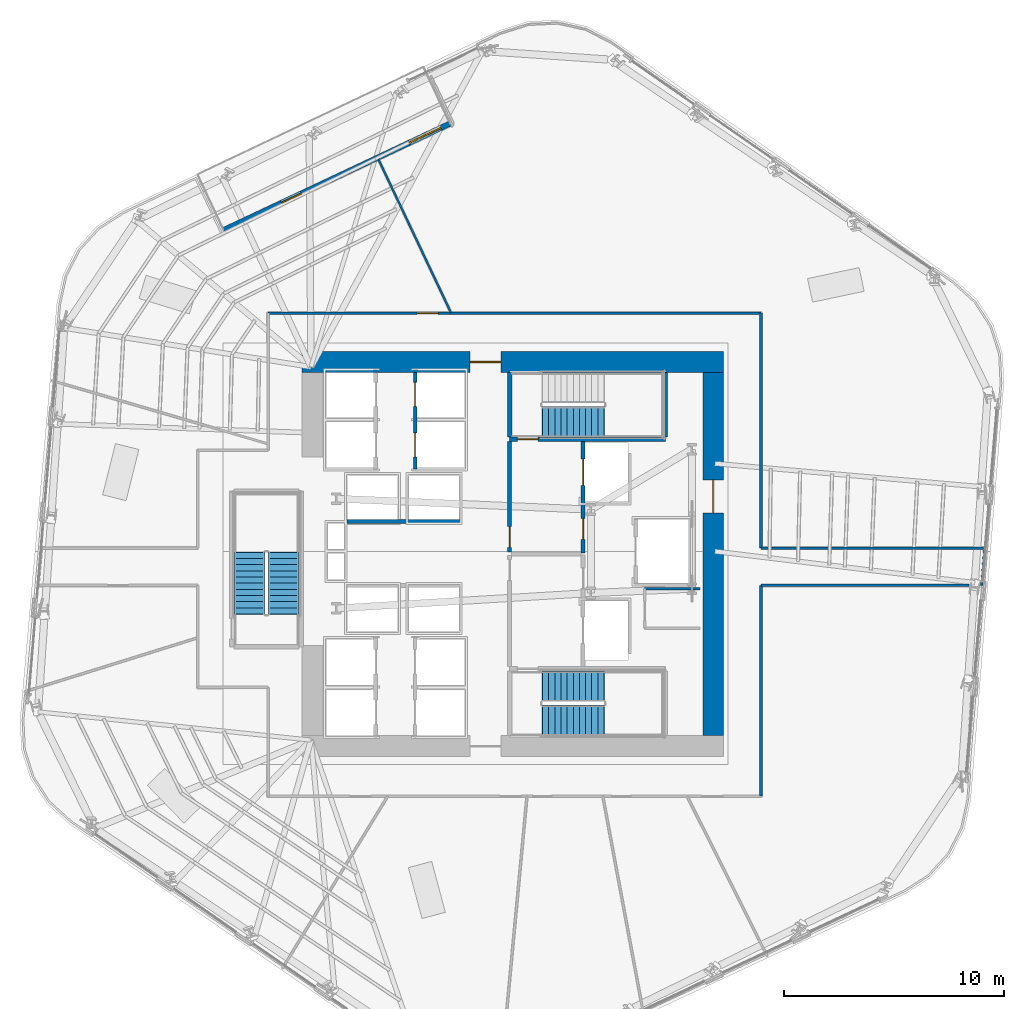
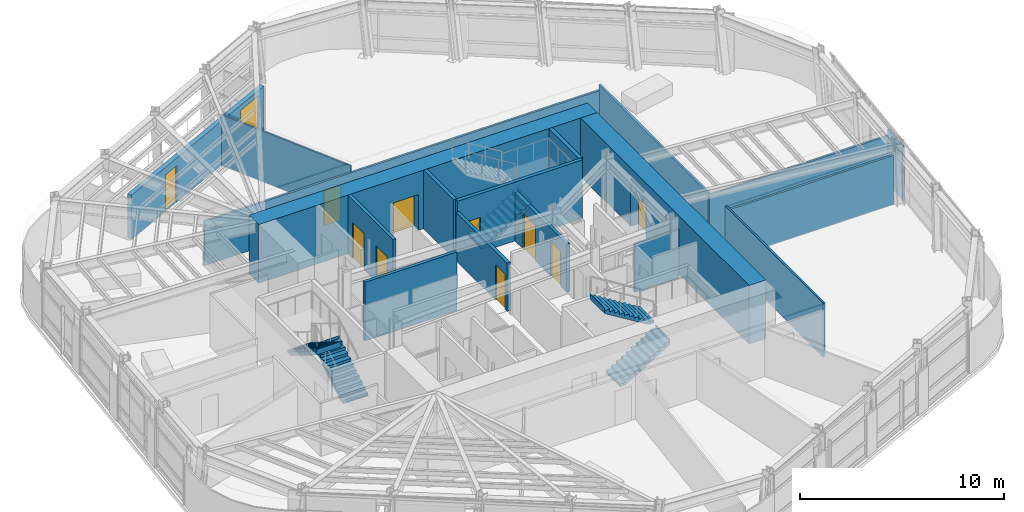
# One storey, part 10 of 19: 18 walls, 10 doors, 5 stair flights, 1 window, 11 openings, 3 elements without a shape of their own.
"""IFC4 building model written with IfcOpenShell, lengths in metres."""

from ifc_helpers import new_model, si_unit, direction, frame, frame_2d, origin, place, context, subcontext, project, spatial, polyline, rectangle, outline, extrude, material, layer, layer_set, type_object, element, fill, aggregate, save


model = new_model("IFC4")

# Units and contexts
model_context = context("Model", 3, precision=1e-05, world=origin(), true_north=direction((0.0, 1.0)))
body_context = subcontext(model_context, "Body", "Model", "MODEL_VIEW")
ifc_project = project(units=[si_unit("LENGTHUNIT", "METRE"), si_unit("AREAUNIT", "SQUARE_METRE"), si_unit("VOLUMEUNIT", "CUBIC_METRE"), si_unit("PLANEANGLEUNIT", "RADIAN"), si_unit("MASSUNIT", "GRAM", prefix="KILO")], contexts=[model_context])

# Site, building, storey
site_placement = place(None, origin())
site = spatial("IfcSite", under=ifc_project, at=site_placement, CompositionType="ELEMENT")
building_placement = place(site_placement, origin())
building = spatial("IfcBuilding", under=site, at=building_placement, Name="Valkerne Bourse Tower", CompositionType="ELEMENT")
storey_placement = place(building_placement, frame((0.0, 0.0, 131.39990234375)))
storey = spatial("IfcBuildingStorey", under=building, at=storey_placement, Name="L33", CompositionType="ELEMENT", Elevation=131.39990234375)

# Wall, opening, door
ifc_material_1 = material(Name="Concrete C70/85", Category="concrete")
ifc_layer_1 = layer(ifc_material_1, 0.949951171875)
ifc_layer_set_1 = layer_set([ifc_layer_1], Name="Concrete C70/85")
wall_type_1 = type_object("IfcWallType", Name="W-CORE-950", PredefinedType="SHEAR", material=ifc_layer_set_1)
wall_1_placement = place(storey_placement, frame((37.199951171875, 35.625, 0.0), z_axis=(0.0, 0.0, 1.0), x_axis=(1.0, 0.0, 0.0)))
wall_1 = element("IfcWall", 1, at=wall_1_placement, inside=storey, type_object=wall_type_1, Name="L33 Core Shear Wall NORTH", PredefinedType="SHEAR", context=body_context, shape_type="SweptSolid", body=[
    extrude(rectangle(XDim=19.199951171875, YDim=0.949951171875, at=frame_2d((9.60009765625, 0.0))), origin(), (0.0, 0.0, 1.0), 3.52001953125),
])
opening_1_placement = place(wall_1_placement, frame((7.64990234375, 0.0, 0.0)))
opening_1 = element("IfcOpeningElement", 2, at=opening_1_placement, cuts=wall_1, Name="Opening D-PL-1400", PredefinedType="OPENING", context=body_context, shape_type="SweptSolid", body=[
    extrude(rectangle(XDim=1.39990234375, YDim=2.14990234375, at=frame_2d((0.699951171875, 1.074951171875))), frame((0.0, 0.48486328125, 0.0), z_axis=(0.0, -1.0, 0.0), x_axis=(1.0, 0.0, 0.0)), (0.0, 0.0, 1.0), 0.969970703125),
])
ifc_material_2 = material(Name="Galvanised Painted Steel", Category="steel")
door_type_1 = type_object("IfcDoorType", Name="DR-PLT-1400", OperationType="DOUBLE_DOOR_SINGLE_SWING", PredefinedType="DOOR", material=ifc_material_2)
door_1_placement = place(opening_1_placement, origin())
door_1 = element("IfcDoor", 3, at=door_1_placement, inside=storey, type_object=door_type_1, Name="L33 North Passenger Lift Hall Fire Door", OperationType="DOUBLE_DOOR_SINGLE_SWING", OverallHeight=2.14990234375, OverallWidth=1.39990234375, PredefinedType="DOOR", context=body_context, shape_type="SweptSolid", body=[
    extrude(rectangle(XDim=1.39990234375, YDim=2.14990234375, at=frame_2d((0.699951171875, 1.074951171875))), frame((0.0, 0.02490234375, 0.0), z_axis=(0.0, -1.0, 0.0), x_axis=(1.0, 0.0, 0.0)), (0.0, 0.0, 1.0), 0.050048828125),
])
fill(opening_1, door_1)

wall_2_placement = place(storey_placement, frame((55.925048828125, 18.60009765625, 0.0), z_axis=(0.0, 0.0, 1.0), x_axis=(0.0, 1.0, 0.0)))
wall_2 = element("IfcWall", 4, at=wall_2_placement, inside=storey, type_object=wall_type_1, Name="L33 Core Shear Wall EAST", PredefinedType="SHEAR", context=body_context, shape_type="SweptSolid", body=[
    extrude(rectangle(XDim=16.5498046875, YDim=0.949951171875, at=frame_2d((8.27490234375, 0.0))), origin(), (0.0, 0.0, 1.0), 3.52001953125),
])
opening_2_placement = place(wall_2_placement, frame((10.14990234375, 0.0, 0.0)))
opening_2 = element("IfcOpeningElement", 5, at=opening_2_placement, cuts=wall_2, Name="Opening D-CR-1500", PredefinedType="OPENING", context=body_context, shape_type="SweptSolid", body=[
    extrude(rectangle(XDim=1.5, YDim=2.14990234375, at=frame_2d((0.75, 1.074951171875))), frame((0.0, 0.48486328125, 0.0), z_axis=(0.0, -1.0, 0.0), x_axis=(1.0, 0.0, 0.0)), (0.0, 0.0, 1.0), 0.969970703125),
])
door_type_2 = type_object("IfcDoorType", Name="DR-CORR-1500", OperationType="DOUBLE_DOOR_SINGLE_SWING", PredefinedType="DOOR", material=ifc_material_2)
door_2_placement = place(opening_2_placement, origin())
door_2 = element("IfcDoor", 6, at=door_2_placement, inside=storey, type_object=door_type_2, Name="L33 East Core Service Lobby Fire Door", OperationType="DOUBLE_DOOR_SINGLE_SWING", OverallHeight=2.14990234375, OverallWidth=1.5, PredefinedType="DOOR", context=body_context, shape_type="SweptSolid", body=[
    extrude(rectangle(XDim=1.5, YDim=2.14990234375, at=frame_2d((0.75, 1.074951171875))), frame((0.0, 0.02490234375, 0.0), z_axis=(0.0, -1.0, 0.0), x_axis=(1.0, 0.0, 0.0)), (0.0, 0.0, 1.0), 0.050048828125),
])
fill(opening_2, door_2)

# Walls
ifc_material_3 = material(Name="Gypsum Board Steel-Stud Partition", Category="steel")
ifc_layer_2 = layer(ifc_material_3, 0.117919921875)
ifc_layer_set_2 = layer_set([ifc_layer_2], Name="Gypsum Board Steel-Stud Partition")
wall_type_2 = type_object("IfcWallType", Name="W-CORR-140", PredefinedType="PARTITIONING", material=ifc_layer_set_2)
wall_3_placement = place(storey_placement, frame((52.800048828125, 25.300048828125, 0.0), z_axis=(0.0, 0.0, 1.0), x_axis=(1.0, 0.0, 0.0)))
element("IfcWall", 7, at=wall_3_placement, inside=storey, type_object=wall_type_2, Name="L33 Core SE North-Bay North Wall", PredefinedType="PARTITIONING", context=body_context, shape_type="SweptSolid", body=[
    extrude(rectangle(XDim=2.52001953125, YDim=0.117919921875, at=frame_2d((1.260009765625, 0.0))), origin(), (0.0, 0.0, 1.0), 2.89794921875),
])
wall_4_placement = place(storey_placement, frame((58.10009765625, 27.14990234375, 0.0), z_axis=(0.0, 0.0, 1.0), x_axis=(1.0, 0.0, 0.0)))
element("IfcWall", 8, at=wall_4_placement, inside=storey, type_object=wall_type_2, Name="L33 Corridor Enclosure Wall", PredefinedType="PARTITIONING", context=body_context, shape_type="SweptSolid", body=[
    extrude(rectangle(XDim=10.1904296875, YDim=0.117919921875, at=frame_2d((5.09521484375, 0.0))), origin(), (0.0, 0.0, 1.0), 2.8623046875),
])
wall_5_placement = place(storey_placement, frame((68.29052734375, 27.14990234375, 0.0), z_axis=(0.0, 0.0, 1.0), x_axis=(-0.07945502524, -0.996838451789, 0.0)))
element("IfcWall", 9, at=wall_5_placement, inside=storey, type_object=wall_type_2, Name="L33 Corridor Enclosure Wall", PredefinedType="PARTITIONING", context=body_context, shape_type="SweptSolid", body=[
    extrude(rectangle(XDim=1.705322265625, YDim=0.117919921875, at=frame_2d((0.8525390625, 0.0))), origin(), (0.0, 0.0, 1.0), 3.22021484375),
])
wall_6_placement = place(storey_placement, frame((67.5673828125, 25.449951171875, 0.0), z_axis=(0.0, 0.0, 1.0), x_axis=(-1.0, 0.0, 0.0)))
element("IfcWall", 10, at=wall_6_placement, inside=storey, type_object=wall_type_2, Name="L33 Corridor Enclosure Wall", PredefinedType="PARTITIONING", context=body_context, shape_type="SweptSolid", body=[
    extrude(rectangle(XDim=9.46728515625, YDim=0.117919921875, at=frame_2d((4.733642578125, 0.0))), origin(), (0.0, 0.0, 1.0), 2.96142578125),
])
wall_7_placement = place(storey_placement, frame((58.10009765625, 25.449951171875, 0.0), z_axis=(0.0, 0.0, 1.0), x_axis=(0.0, -1.0, 0.0)))
element("IfcWall", 11, at=wall_7_placement, inside=storey, type_object=wall_type_2, Name="L33 Corridor Enclosure Wall", PredefinedType="PARTITIONING", context=body_context, shape_type="SweptSolid", body=[
    extrude(rectangle(XDim=9.599853515625, YDim=0.117919921875, at=frame_2d((4.7998046875, 0.0))), origin(), (0.0, 0.0, 1.0), 3.22021484375),
])

# Wall, opening, door
wall_8_placement = place(storey_placement, frame((35.64990234375, 37.85009765625, 0.0), z_axis=(0.0, 0.0, 1.0), x_axis=(1.0, 0.0, 0.0)))
wall_8 = element("IfcWall", 12, at=wall_8_placement, inside=storey, type_object=wall_type_2, Name="L33 Corridor Enclosure Wall", PredefinedType="PARTITIONING", context=body_context, shape_type="SweptSolid", body=[
    extrude(rectangle(XDim=22.4501953125, YDim=0.117919921875, at=frame_2d((11.22509765625, 0.0))), origin(), (0.0, 0.0, 1.0), 2.651611328125),
])
opening_3_placement = place(wall_8_placement, frame((6.7900390625, 0.0, 0.0)))
opening_3 = element("IfcOpeningElement", 13, at=opening_3_placement, cuts=wall_8, Name="Opening D-OF-950", PredefinedType="OPENING", context=body_context, shape_type="SweptSolid", body=[
    extrude(rectangle(XDim=0.949951171875, YDim=2.10009765625, at=frame_2d((0.47509765625, 1.050048828125))), frame((0.0, 0.06884765625, 0.0), z_axis=(0.0, -1.0, 0.0), x_axis=(1.0, 0.0, 0.0)), (0.0, 0.0, 1.0), 0.137939453125),
])
ifc_material_4 = material(Name="Architectural White Oak Timber", Category="wood")
door_type_3 = type_object("IfcDoorType", Name="DR-OFF-950", OperationType="NOTDEFINED", PredefinedType="DOOR", material=ifc_material_4)
door_3_placement = place(opening_3_placement, origin())
door_3 = element("IfcDoor", 14, at=door_3_placement, inside=storey, type_object=door_type_3, Name="L33 L33 Executive Advisory Suite Office 6 Door", OperationType="SINGLE_SWING_LEFT", OverallHeight=2.10009765625, OverallWidth=0.949951171875, PredefinedType="DOOR", context=body_context, shape_type="SweptSolid", body=[
    extrude(rectangle(XDim=0.949951171875, YDim=2.10009765625, at=frame_2d((0.47509765625, 1.050048828125))), frame((0.0, 0.02490234375, 0.0), z_axis=(0.0, -1.0, 0.0), x_axis=(1.0, 0.0, 0.0)), (0.0, 0.0, 1.0), 0.050048828125),
])
fill(opening_3, door_3)

# Wall
wall_9_placement = place(storey_placement, frame((58.10009765625, 37.85009765625, 0.0), z_axis=(0.0, 0.0, 1.0), x_axis=(0.0, -1.0, 0.0)))
element("IfcWall", 15, at=wall_9_placement, inside=storey, type_object=wall_type_2, Name="L33 Corridor Enclosure Wall", PredefinedType="PARTITIONING", context=body_context, shape_type="SweptSolid", body=[
    extrude(rectangle(XDim=10.7001953125, YDim=0.117919921875, at=frame_2d((5.35009765625, 0.0))), origin(), (0.0, 0.0, 1.0), 2.976806640625),
])

# Wall, openings, door, window
ifc_material_5 = material(Name="Bronze Anodised Aluminium AA 6063-T6", Category="aluminium")
ifc_layer_3 = layer(ifc_material_5, 0.25)
ifc_layer_set_3 = layer_set([ifc_layer_3], Name="Bronze Anodised Aluminium AA 6063-T6")
wall_type_3 = type_object("IfcWallType", Name="W-EXT-TER-250", PredefinedType="STANDARD", material=ifc_layer_set_3)
wall_10_placement = place(storey_placement, frame((43.931396484375, 46.4833984375, 0.0), z_axis=(0.0, 0.0, 1.0), x_axis=(-0.904833747211, -0.425765064218, 0.0)))
wall_10 = element("IfcWall", 16, at=wall_10_placement, inside=storey, type_object=wall_type_3, Name="L33 V-Notch Terrace Glazed Access Wall", PredefinedType="STANDARD", context=body_context, shape_type="SweptSolid", body=[
    extrude(rectangle(XDim=11.400146484375, YDim=0.25, at=frame_2d((5.7001953125, 0.0))), origin(), (0.0, 0.0, 1.0), 2.655517578125),
])
opening_4_placement = place(wall_10_placement, frame((7.47998046875, 0.0, 0.0)))
opening_4 = element("IfcOpeningElement", 17, at=opening_4_placement, cuts=wall_10, Name="Opening DT-1000", PredefinedType="OPENING", context=body_context, shape_type="SweptSolid", body=[
    extrude(rectangle(XDim=1.0, YDim=2.199951171875, at=frame_2d((0.5, 1.10009765625))), frame((0.0, 0.135009765625, 0.0), z_axis=(0.0, -1.0, 0.0), x_axis=(1.0, 0.0, 0.0)), (0.0, 0.0, 1.0), 0.27001953125),
])
opening_5_placement = place(wall_10_placement, frame((0.449951171875, 0.0, 0.14990234375)))
opening_5 = element("IfcOpeningElement", 18, at=opening_5_placement, cuts=wall_10, Name="Opening WN-04", PredefinedType="OPENING", context=body_context, shape_type="SweptSolid", body=[
    extrude(rectangle(XDim=1.60009765625, YDim=2.199951171875, at=frame_2d((0.800048828125, 1.10009765625))), frame((0.0, 0.135009765625, 0.0), z_axis=(0.0, -1.0, 0.0), x_axis=(1.0, 0.0, 0.0)), (0.0, 0.0, 1.0), 0.27001953125),
])
ifc_material_6 = material(Name="Glass IGU Low-E Double Glazed", Category="glass")
door_type_4 = type_object("IfcDoorType", Name="DR-EXT-TER-1000", OperationType="NOTDEFINED", PredefinedType="DOOR", material=ifc_material_6)
door_4_placement = place(opening_4_placement, origin())
door_4 = element("IfcDoor", 19, at=door_4_placement, inside=storey, type_object=door_type_4, Name="L33 V-Notch Outdoor Terrace Access Door", OperationType="SINGLE_SWING_RIGHT", OverallHeight=2.199951171875, OverallWidth=1.0, PredefinedType="DOOR", context=body_context, shape_type="SweptSolid", body=[
    extrude(rectangle(XDim=1.0, YDim=2.199951171875, at=frame_2d((0.5, 1.10009765625))), frame((0.0, 0.02490234375, 0.0), z_axis=(0.0, -1.0, 0.0), x_axis=(1.0, 0.0, 0.0)), (0.0, 0.0, 1.0), 0.050048828125),
])
fill(opening_4, door_4)
window_type = type_object("IfcWindowType", Name="WIN-TER-1600X2200", PartitioningType="SINGLE_PANEL", PredefinedType="WINDOW", material=ifc_material_6)
window_placement = place(opening_5_placement, origin())
window = element("IfcWindow", 20, at=window_placement, inside=storey, type_object=window_type, Name="L33 V-Notch Terrace Sidelight Window", OverallHeight=2.199951171875, OverallWidth=1.60009765625, PartitioningType="SINGLE_PANEL", PredefinedType="WINDOW", context=body_context, shape_type="SweptSolid", body=[
    extrude(rectangle(XDim=1.60009765625, YDim=2.199951171875, at=frame_2d((0.800048828125, 1.10009765625))), frame((0.0, 0.030029296875, 0.0), z_axis=(0.0, -1.0, 0.0), x_axis=(1.0, 0.0, 0.0)), (0.0, 0.0, 1.0), 0.06005859375),
])
fill(opening_5, window)

# Wall, opening, door
ifc_material_7 = material(Name="Gypsum Fire-Rated Shaftwall", Category="gypsum")
ifc_layer_4 = layer(ifc_material_7, 0.179931640625)
ifc_layer_set_4 = layer_set([ifc_layer_4], Name="Gypsum Fire-Rated Shaftwall")
wall_type_4 = type_object("IfcWallType", Name="W-FSAE-180", PredefinedType="PARTITIONING", material=ifc_layer_set_4)
wall_11_placement = place(storey_placement, frame((46.64990234375, 26.9599609375, 0.0), z_axis=(0.0, 0.0, 1.0), x_axis=(0.0, 1.0, 0.0)))
wall_11 = element("IfcWall", 21, at=wall_11_placement, inside=storey, type_object=wall_type_4, Name="L33 FSAE-2 Lobby West Fire Wall", PredefinedType="PARTITIONING", context=body_context, shape_type="SweptSolid", body=[
    extrude(rectangle(XDim=5.0400390625, YDim=0.179931640625, at=frame_2d((2.52001953125, 0.0))), origin(), (0.0, 0.0, 1.0), 2.89794921875),
])
opening_6_placement = place(wall_11_placement, frame((0.219970703125, 0.0, 0.0)))
opening_6 = element("IfcOpeningElement", 22, at=opening_6_placement, cuts=wall_11, Name="Opening D-FS-950", PredefinedType="OPENING", context=body_context, shape_type="SweptSolid", body=[
    extrude(rectangle(XDim=0.949951171875, YDim=2.10009765625, at=frame_2d((0.47509765625, 1.050048828125))), frame((0.0, 0.099853515625, 0.0), z_axis=(0.0, -1.0, 0.0), x_axis=(1.0, 0.0, 0.0)), (0.0, 0.0, 1.0), 0.199951171875),
])
door_type_5 = type_object("IfcDoorType", Name="DR-FSAE-950", OperationType="NOTDEFINED", PredefinedType="DOOR", material=ifc_material_2)
door_5_placement = place(opening_6_placement, origin())
door_5 = element("IfcDoor", 23, at=door_5_placement, inside=storey, type_object=door_type_5, Name="L33 FSAE-2 Hall Link Fire Door", OperationType="SINGLE_SWING_RIGHT", OverallHeight=2.10009765625, OverallWidth=0.949951171875, PredefinedType="DOOR", context=body_context, shape_type="SweptSolid", body=[
    extrude(rectangle(XDim=0.949951171875, YDim=2.10009765625, at=frame_2d((0.47509765625, 1.050048828125))), frame((0.0, 0.02490234375, 0.0), z_axis=(0.0, -1.0, 0.0), x_axis=(1.0, 0.0, 0.0)), (0.0, 0.0, 1.0), 0.050048828125),
])
fill(opening_6, door_5)

# Wall, openings, doors
wall_12_placement = place(storey_placement, frame((50.0, 26.919921875, 0.0), z_axis=(0.0, 0.0, 1.0), x_axis=(0.0, 1.0, 0.0)))
wall_12 = element("IfcWall", 24, at=wall_12_placement, inside=storey, type_object=wall_type_4, Name="L33 FSAE-2 Lobby & Shaft Front Wall", PredefinedType="PARTITIONING", context=body_context, shape_type="SweptSolid", body=[
    extrude(rectangle(XDim=5.080078125, YDim=0.179931640625, at=frame_2d((2.5400390625, 0.0))), origin(), (0.0, 0.0, 1.0), 2.89794921875),
])
opening_7_placement = place(wall_12_placement, frame((3.080078125, 0.0, 0.0)))
opening_7 = element("IfcOpeningElement", 25, at=opening_7_placement, cuts=wall_12, Name="Opening LD-1200", PredefinedType="OPENING", context=body_context, shape_type="SweptSolid", body=[
    extrude(rectangle(XDim=1.199951171875, YDim=2.14990234375, at=frame_2d((0.60009765625, 1.074951171875))), frame((0.0, 0.099853515625, 0.0), z_axis=(0.0, -1.0, 0.0), x_axis=(1.0, 0.0, 0.0)), (0.0, 0.0, 1.0), 0.199951171875),
])
opening_8_placement = place(wall_12_placement, frame((0.6298828125, 0.0, 0.0)))
opening_8 = element("IfcOpeningElement", 26, at=opening_8_placement, cuts=wall_12, Name="Opening D-FS-950", PredefinedType="OPENING", context=body_context, shape_type="SweptSolid", body=[
    extrude(rectangle(XDim=0.949951171875, YDim=2.10009765625, at=frame_2d((0.47509765625, 1.050048828125))), frame((0.0, 0.099853515625, 0.0), z_axis=(0.0, -1.0, 0.0), x_axis=(1.0, 0.0, 0.0)), (0.0, 0.0, 1.0), 0.199951171875),
])
door_6_placement = place(opening_8_placement, origin())
door_6 = element("IfcDoor", 27, at=door_6_placement, inside=storey, type_object=door_type_5, Name="L33 FSAE-2 Lobby Corridor Fire Door", OperationType="SINGLE_SWING_RIGHT", OverallHeight=2.10009765625, OverallWidth=0.949951171875, PredefinedType="DOOR", context=body_context, shape_type="SweptSolid", body=[
    extrude(rectangle(XDim=0.949951171875, YDim=2.10009765625, at=frame_2d((0.47509765625, 1.050048828125))), frame((0.0, 0.02490234375, 0.0), z_axis=(0.0, -1.0, 0.0), x_axis=(1.0, 0.0, 0.0)), (0.0, 0.0, 1.0), 0.050048828125),
])
fill(opening_8, door_6)
ifc_material_8 = material(Name="Stainless Steel AISI 316", Category="steel")
door_type_6 = type_object("IfcDoorType", Name="DR-LIFT-1200", OperationType="DOUBLE_DOOR_SLIDING", PredefinedType="DOOR", material=ifc_material_8)
door_7_placement = place(opening_7_placement, origin())
door_7 = element("IfcDoor", 28, at=door_7_placement, inside=storey, type_object=door_type_6, Name="L33 FSAE-2 Firefighting Lift Landing Door", OperationType="DOUBLE_DOOR_SLIDING", OverallHeight=2.14990234375, OverallWidth=1.199951171875, PredefinedType="DOOR", context=body_context, shape_type="SweptSolid", body=[
    extrude(rectangle(XDim=1.199951171875, YDim=2.14990234375, at=frame_2d((0.60009765625, 1.074951171875))), frame((0.0, 0.02490234375, 0.0), z_axis=(0.0, -1.0, 0.0), x_axis=(1.0, 0.0, 0.0)), (0.0, 0.0, 1.0), 0.050048828125),
])
fill(opening_7, door_7)

ifc_material_9 = material(Name="CMU Blockwork Masonry 200mm", Category="masonry")
ifc_layer_5 = layer(ifc_material_9, 0.179931640625)
ifc_layer_set_5 = layer_set([ifc_layer_5], Name="CMU Blockwork Masonry 200mm")
wall_type_5 = type_object("IfcWallType", Name="W-LFT-180", PredefinedType="SOLIDWALL", material=ifc_layer_set_5)
wall_13_placement = place(storey_placement, frame((42.35009765625, 30.75, 0.0), z_axis=(0.0, 0.0, 1.0), x_axis=(0.0, 1.0, 0.0)))
wall_13 = element("IfcWall", 29, at=wall_13_placement, inside=storey, type_object=wall_type_5, Name="L33 Mid-Zone East Cars Front Wall", PredefinedType="SOLIDWALL", context=body_context, shape_type="SweptSolid", body=[
    extrude(rectangle(XDim=4.39990234375, YDim=0.179931640625, at=frame_2d((2.199951171875, 0.0))), origin(), (0.0, 0.0, 1.0), 3.52001953125),
])
opening_9_placement = place(wall_13_placement, frame((0.550048828125, 0.0, 0.0)))
opening_9 = element("IfcOpeningElement", 30, at=opening_9_placement, cuts=wall_13, Name="Opening LD-1100", PredefinedType="OPENING", context=body_context, shape_type="SweptSolid", body=[
    extrude(rectangle(XDim=1.10009765625, YDim=2.14990234375, at=frame_2d((0.550048828125, 1.074951171875))), frame((0.0, 0.099853515625, 0.0), z_axis=(0.0, -1.0, 0.0), x_axis=(1.0, 0.0, 0.0)), (0.0, 0.0, 1.0), 0.199951171875),
])
opening_10_placement = place(wall_13_placement, frame((2.85009765625, 0.0, 0.0)))
opening_10 = element("IfcOpeningElement", 31, at=opening_10_placement, cuts=wall_13, Name="Opening LD-1100", PredefinedType="OPENING", context=body_context, shape_type="SweptSolid", body=[
    extrude(rectangle(XDim=1.10009765625, YDim=2.14990234375, at=frame_2d((0.550048828125, 1.074951171875))), frame((0.0, 0.099853515625, 0.0), z_axis=(0.0, -1.0, 0.0), x_axis=(1.0, 0.0, 0.0)), (0.0, 0.0, 1.0), 0.199951171875),
])
door_type_7 = type_object("IfcDoorType", Name="DR-LIFT-1100", OperationType="DOUBLE_DOOR_SLIDING", PredefinedType="DOOR", material=ifc_material_8)
door_8_placement = place(opening_9_placement, origin())
door_8 = element("IfcDoor", 32, at=door_8_placement, inside=storey, type_object=door_type_7, Name="L33 Passenger Lift PL-M3 Sliding Landing Door", OperationType="DOUBLE_DOOR_SLIDING", OverallHeight=2.14990234375, OverallWidth=1.10009765625, PredefinedType="DOOR", context=body_context, shape_type="SweptSolid", body=[
    extrude(rectangle(XDim=1.10009765625, YDim=2.14990234375, at=frame_2d((0.550048828125, 1.074951171875))), frame((0.0, 0.02490234375, 0.0), z_axis=(0.0, -1.0, 0.0), x_axis=(1.0, 0.0, 0.0)), (0.0, 0.0, 1.0), 0.050048828125),
])
fill(opening_9, door_8)
door_9_placement = place(opening_10_placement, origin())
door_9 = element("IfcDoor", 33, at=door_9_placement, inside=storey, type_object=door_type_7, Name="L33 Passenger Lift PL-M4 Sliding Landing Door", OperationType="DOUBLE_DOOR_SLIDING", OverallHeight=2.14990234375, OverallWidth=1.10009765625, PredefinedType="DOOR", context=body_context, shape_type="SweptSolid", body=[
    extrude(rectangle(XDim=1.10009765625, YDim=2.14990234375, at=frame_2d((0.550048828125, 1.074951171875))), frame((0.0, 0.02490234375, 0.0), z_axis=(0.0, -1.0, 0.0), x_axis=(1.0, 0.0, 0.0)), (0.0, 0.0, 1.0), 0.050048828125),
])
fill(opening_10, door_9)

# Walls
wall_14_placement = place(storey_placement, frame((39.25, 28.35009765625, 0.0), z_axis=(0.0, 0.0, 1.0), x_axis=(1.0, 0.0, 0.0)))
element("IfcWall", 34, at=wall_14_placement, inside=storey, type_object=wall_type_5, Name="L33 High-Zone North Cars Front Wall", PredefinedType="SOLIDWALL", context=body_context, shape_type="SweptSolid", body=[
    extrude(rectangle(XDim=5.199951171875, YDim=0.179931640625, at=frame_2d((2.60009765625, 0.0))), origin(), (0.0, 0.0, 1.0), 3.52001953125),
])
ifc_layer_6 = layer(ifc_material_3, 0.092041015625)
ifc_layer_set_6 = layer_set([ifc_layer_6], Name="Gypsum Board Steel-Stud Partition")
wall_type_6 = type_object("IfcWallType", Name="W-PART-115", PredefinedType="PARTITIONING", material=ifc_layer_set_6)
wall_15_placement = place(storey_placement, frame((43.985107421875, 37.85498046875, 0.0), z_axis=(0.0, 0.0, 1.0), x_axis=(-0.427640011657, 0.903949124913, 0.0)))
element("IfcWall", 35, at=wall_15_placement, inside=storey, type_object=wall_type_6, Name="L33 Suite Partition P04", PredefinedType="PARTITIONING", context=body_context, shape_type="SweptSolid", body=[
    extrude(rectangle(XDim=7.76025390625, YDim=0.092041015625, at=frame_2d((3.880126953125, 0.0))), origin(), (0.0, 0.0, 1.0), 3.047607421875),
])

# Wall, opening, door
ifc_material_10 = material(Name="Concrete C40/50", Category="concrete")
ifc_layer_7 = layer(ifc_material_10, 0.199951171875)
ifc_layer_set_7 = layer_set([ifc_layer_7], Name="Concrete C40/50")
wall_type_7 = type_object("IfcWallType", Name="W-SHF-200", PredefinedType="SHEAR", material=ifc_layer_set_7)
wall_16_placement = place(storey_placement, frame((46.64990234375, 32.10009765625, 0.0), z_axis=(0.0, 0.0, 1.0), x_axis=(1.0, 0.0, 0.0)))
wall_16 = element("IfcWall", 36, at=wall_16_placement, inside=storey, type_object=wall_type_7, Name="L33 Exit Stair ST-2 Structural Shaft Wall South", PredefinedType="SHEAR", context=body_context, shape_type="SweptSolid", body=[
    extrude(rectangle(XDim=7.10009765625, YDim=0.199951171875, at=frame_2d((3.550048828125, 0.0))), origin(), (0.0, 0.0, 1.0), 3.52001953125),
])
opening_11_placement = place(wall_16_placement, frame((0.35009765625, 0.0, 0.0)))
opening_11 = element("IfcOpeningElement", 37, at=opening_11_placement, cuts=wall_16, Name="Opening D-ST-950", PredefinedType="OPENING", context=body_context, shape_type="SweptSolid", body=[
    extrude(rectangle(XDim=0.949951171875, YDim=2.10009765625, at=frame_2d((0.47509765625, 1.050048828125))), frame((0.0, 0.10986328125, 0.0), z_axis=(0.0, -1.0, 0.0), x_axis=(1.0, 0.0, 0.0)), (0.0, 0.0, 1.0), 0.219970703125),
])
door_type_8 = type_object("IfcDoorType", Name="DR-STAIR-950", OperationType="NOTDEFINED", PredefinedType="DOOR", material=ifc_material_2)
door_10_placement = place(opening_11_placement, origin())
door_10 = element("IfcDoor", 38, at=door_10_placement, inside=storey, type_object=door_type_8, Name="L33 Exit Stair ST-2 Door", OperationType="SINGLE_SWING_RIGHT", OverallHeight=2.10009765625, OverallWidth=0.949951171875, PredefinedType="DOOR", context=body_context, shape_type="SweptSolid", body=[
    extrude(rectangle(XDim=0.949951171875, YDim=2.10009765625, at=frame_2d((0.47509765625, 1.050048828125))), frame((0.0, 0.02490234375, 0.0), z_axis=(0.0, -1.0, 0.0), x_axis=(1.0, 0.0, 0.0)), (0.0, 0.0, 1.0), 0.050048828125),
])
fill(opening_11, door_10)

# Walls
for number, where, z_axis, x_axis, name in (
    (39, (46.64990234375, 32.199951171875, 0.0), (0.0, 0.0, 1.0), (0.0, 1.0, 0.0), "L33 Exit Stair ST-2 Structural Shaft Wall West"),
    (40, (53.75, 32.199951171875, 0.0), (0.0, 0.0, 1.0), (0.0, 1.0, 0.0), "L33 Exit Stair ST-2 Structural Shaft Wall East"),
):
    element("IfcWall", number, at=place(storey_placement, frame(where, z_axis=z_axis, x_axis=x_axis)), inside=storey, type_object=wall_type_7, Name=name, PredefinedType="SHEAR", context=body_context, shape_type="SweptSolid", body=[
        extrude(rectangle(XDim=2.949951171875, YDim=0.199951171875, at=frame_2d((1.47509765625, 0.0))), origin(), (0.0, 0.0, 1.0), 3.52001953125),
    ])

# Stair, stair flights
stair_type = type_object("IfcStairType", Name="ST-CORE-1400", PredefinedType="HALF_TURN_STAIR", material=ifc_material_10)
stair_1_placement = place(storey_placement, origin())
stair_1 = element("IfcStair", 41, at=stair_1_placement, inside=storey, type_object=stair_type, Name="L33 ST-1", PredefinedType="HALF_TURN_STAIR")
stair_flight_type = type_object("IfcStairFlightType", Name="STF-CORE-1400", PredefinedType="STRAIGHT", material=ifc_material_10)
stair_flight_1_placement = place(storey_placement, frame((48.14990234375, 19.300048828125, 0.0), z_axis=(0.0, 0.0, 1.0), x_axis=(1.0, 0.0, 0.0)))
stair_flight_1 = element("IfcStairFlight", 42, at=stair_flight_1_placement, type_object=stair_flight_type, Name="ST-1 flight 1", NumberOfRisers=11, NumberOfTreads=10, PredefinedType="STRAIGHT", RiserHeight=0.172727273, TreadLength=0.28, context=body_context, shape_type="SweptSolid", body=[
    extrude(outline(polyline([(-0.02001953125, 0.0), (-0.02001953125, 0.044921875), (0.0, 0.044921875), (0.0, 0.172607421875), (0.280029296875, 0.172607421875), (0.280029296875, 0.345458984375), (0.56005859375, 0.345458984375), (0.56005859375, 0.51806640625), (0.840087890625, 0.51806640625), (0.840087890625, 0.69091796875), (1.1201171875, 0.69091796875), (1.1201171875, 0.863525390625), (1.39990234375, 0.863525390625), (1.39990234375, 1.036376953125), (1.679931640625, 1.036376953125), (1.679931640625, 1.208984375), (1.9599609375, 1.208984375), (1.9599609375, 1.3818359375), (2.239990234375, 1.3818359375), (2.239990234375, 1.554443359375), (2.52001953125, 1.554443359375), (2.52001953125, 1.727294921875), (2.800048828125, 1.727294921875), (2.800048828125, 1.89990234375), (2.820068359375, 1.89990234375), (2.820068359375, 1.780029296875), (2.800048828125, 1.551025390625), (0.285400390625, 0.0), (-0.02001953125, 0.0)])), frame((0.0, 0.699951171875, 0.0), z_axis=(0.0, -1.0, 0.0), x_axis=(1.0, 0.0, 0.0)), (0.0, 0.0, 1.0), 1.39990234375),
])
stair_flight_2_placement = place(storey_placement, frame((50.949951171875, 20.85009765625, 1.900146484375), z_axis=(0.0, 0.0, 1.0), x_axis=(-1.0, 0.0, 0.0)))
stair_flight_2 = element("IfcStairFlight", 43, at=stair_flight_2_placement, type_object=stair_flight_type, Name="ST-1 flight 2", NumberOfRisers=11, NumberOfTreads=10, PredefinedType="STRAIGHT", RiserHeight=0.172727273, TreadLength=0.28, context=body_context, shape_type="SweptSolid", body=[
    extrude(outline(polyline([(-0.02001953125, 0.0), (-0.02001953125, 0.044921875), (0.0, 0.044921875), (0.0, 0.172607421875), (0.280029296875, 0.172607421875), (0.280029296875, 0.345458984375), (0.56005859375, 0.345458984375), (0.56005859375, 0.51806640625), (0.840087890625, 0.51806640625), (0.840087890625, 0.69091796875), (1.1201171875, 0.69091796875), (1.1201171875, 0.863525390625), (1.39990234375, 0.863525390625), (1.39990234375, 1.036376953125), (1.679931640625, 1.036376953125), (1.679931640625, 1.208984375), (1.9599609375, 1.208984375), (1.9599609375, 1.3818359375), (2.239990234375, 1.3818359375), (2.239990234375, 1.554443359375), (2.52001953125, 1.554443359375), (2.52001953125, 1.727294921875), (2.800048828125, 1.727294921875), (2.800048828125, 1.89990234375), (2.820068359375, 1.89990234375), (2.820068359375, 1.780029296875), (2.800048828125, 1.551025390625), (0.285400390625, 0.0), (-0.02001953125, 0.0)])), frame((0.0, 0.699951171875, 0.0), z_axis=(0.0, -1.0, 0.0), x_axis=(1.0, 0.0, 0.0)), (0.0, 0.0, 1.0), 1.39990234375),
])
aggregate(stair_1, [stair_flight_1, stair_flight_2])

# Stair, stair flight
stair_2_placement = place(storey_placement, origin())
stair_2 = element("IfcStair", 44, at=stair_2_placement, inside=storey, type_object=stair_type, Name="L33 ST-2", PredefinedType="HALF_TURN_STAIR")
stair_flight_3_placement = place(storey_placement, frame((48.14990234375, 32.89990234375, 0.0), z_axis=(0.0, 0.0, 1.0), x_axis=(1.0, 0.0, 0.0)))
stair_flight_3 = element("IfcStairFlight", 45, at=stair_flight_3_placement, type_object=stair_flight_type, Name="ST-2 flight 1", NumberOfRisers=11, NumberOfTreads=10, PredefinedType="STRAIGHT", RiserHeight=0.172727273, TreadLength=0.28, context=body_context, shape_type="SweptSolid", body=[
    extrude(outline(polyline([(-0.02001953125, 0.0), (-0.02001953125, 0.044921875), (0.0, 0.044921875), (0.0, 0.172607421875), (0.280029296875, 0.172607421875), (0.280029296875, 0.345458984375), (0.56005859375, 0.345458984375), (0.56005859375, 0.51806640625), (0.840087890625, 0.51806640625), (0.840087890625, 0.69091796875), (1.1201171875, 0.69091796875), (1.1201171875, 0.863525390625), (1.39990234375, 0.863525390625), (1.39990234375, 1.036376953125), (1.679931640625, 1.036376953125), (1.679931640625, 1.208984375), (1.9599609375, 1.208984375), (1.9599609375, 1.3818359375), (2.239990234375, 1.3818359375), (2.239990234375, 1.554443359375), (2.52001953125, 1.554443359375), (2.52001953125, 1.727294921875), (2.800048828125, 1.727294921875), (2.800048828125, 1.89990234375), (2.820068359375, 1.89990234375), (2.820068359375, 1.780029296875), (2.800048828125, 1.551025390625), (0.285400390625, 0.0), (-0.02001953125, 0.0)])), frame((0.0, 0.699951171875, 0.0), z_axis=(0.0, -1.0, 0.0), x_axis=(1.0, 0.0, 0.0)), (0.0, 0.0, 1.0), 1.39990234375),
])
aggregate(stair_2, [stair_flight_3])

# Stair, stair flights
stair_3_placement = place(storey_placement, origin())
stair_3 = element("IfcStair", 46, at=stair_3_placement, inside=storey, type_object=stair_type, Name="L33 ST-3", PredefinedType="HALF_TURN_STAIR")
stair_flight_4_placement = place(storey_placement, frame((36.35009765625, 24.14990234375, 0.0), z_axis=(0.0, 0.0, 1.0), x_axis=(0.0, 1.0, 0.0)))
stair_flight_4 = element("IfcStairFlight", 47, at=stair_flight_4_placement, type_object=stair_flight_type, Name="ST-3 flight 1", NumberOfRisers=11, NumberOfTreads=10, PredefinedType="STRAIGHT", RiserHeight=0.172727273, TreadLength=0.28, context=body_context, shape_type="SweptSolid", body=[
    extrude(outline(polyline([(-0.02001953125, 0.0), (-0.02001953125, 0.044921875), (0.0, 0.044921875), (0.0, 0.172607421875), (0.280029296875, 0.172607421875), (0.280029296875, 0.345458984375), (0.56005859375, 0.345458984375), (0.56005859375, 0.51806640625), (0.840087890625, 0.51806640625), (0.840087890625, 0.69091796875), (1.1201171875, 0.69091796875), (1.1201171875, 0.863525390625), (1.39990234375, 0.863525390625), (1.39990234375, 1.036376953125), (1.679931640625, 1.036376953125), (1.679931640625, 1.208984375), (1.9599609375, 1.208984375), (1.9599609375, 1.3818359375), (2.239990234375, 1.3818359375), (2.239990234375, 1.554443359375), (2.52001953125, 1.554443359375), (2.52001953125, 1.727294921875), (2.800048828125, 1.727294921875), (2.800048828125, 1.89990234375), (2.820068359375, 1.89990234375), (2.820068359375, 1.780029296875), (2.800048828125, 1.551025390625), (0.285400390625, 0.0), (-0.02001953125, 0.0)])), frame((0.0, 0.699951171875, 0.0), z_axis=(0.0, -1.0, 0.0), x_axis=(1.0, 0.0, 0.0)), (0.0, 0.0, 1.0), 1.39990234375),
])
stair_flight_5_placement = place(storey_placement, frame((34.800048828125, 26.949951171875, 1.900146484375), z_axis=(0.0, 0.0, 1.0), x_axis=(0.0, -1.0, 0.0)))
stair_flight_5 = element("IfcStairFlight", 48, at=stair_flight_5_placement, type_object=stair_flight_type, Name="ST-3 flight 2", NumberOfRisers=11, NumberOfTreads=10, PredefinedType="STRAIGHT", RiserHeight=0.172727273, TreadLength=0.28, context=body_context, shape_type="SweptSolid", body=[
    extrude(outline(polyline([(-0.02001953125, 0.0), (-0.02001953125, 0.044921875), (0.0, 0.044921875), (0.0, 0.172607421875), (0.280029296875, 0.172607421875), (0.280029296875, 0.345458984375), (0.56005859375, 0.345458984375), (0.56005859375, 0.51806640625), (0.840087890625, 0.51806640625), (0.840087890625, 0.69091796875), (1.1201171875, 0.69091796875), (1.1201171875, 0.863525390625), (1.39990234375, 0.863525390625), (1.39990234375, 1.036376953125), (1.679931640625, 1.036376953125), (1.679931640625, 1.208984375), (1.9599609375, 1.208984375), (1.9599609375, 1.3818359375), (2.239990234375, 1.3818359375), (2.239990234375, 1.554443359375), (2.52001953125, 1.554443359375), (2.52001953125, 1.727294921875), (2.800048828125, 1.727294921875), (2.800048828125, 1.89990234375), (2.820068359375, 1.89990234375), (2.820068359375, 1.780029296875), (2.800048828125, 1.551025390625), (0.285400390625, 0.0), (-0.02001953125, 0.0)])), frame((0.0, 0.699951171875, 0.0), z_axis=(0.0, -1.0, 0.0), x_axis=(1.0, 0.0, 0.0)), (0.0, 0.0, 1.0), 1.39990234375),
])
aggregate(stair_3, [stair_flight_4, stair_flight_5])

save(model, "model.ifc")
